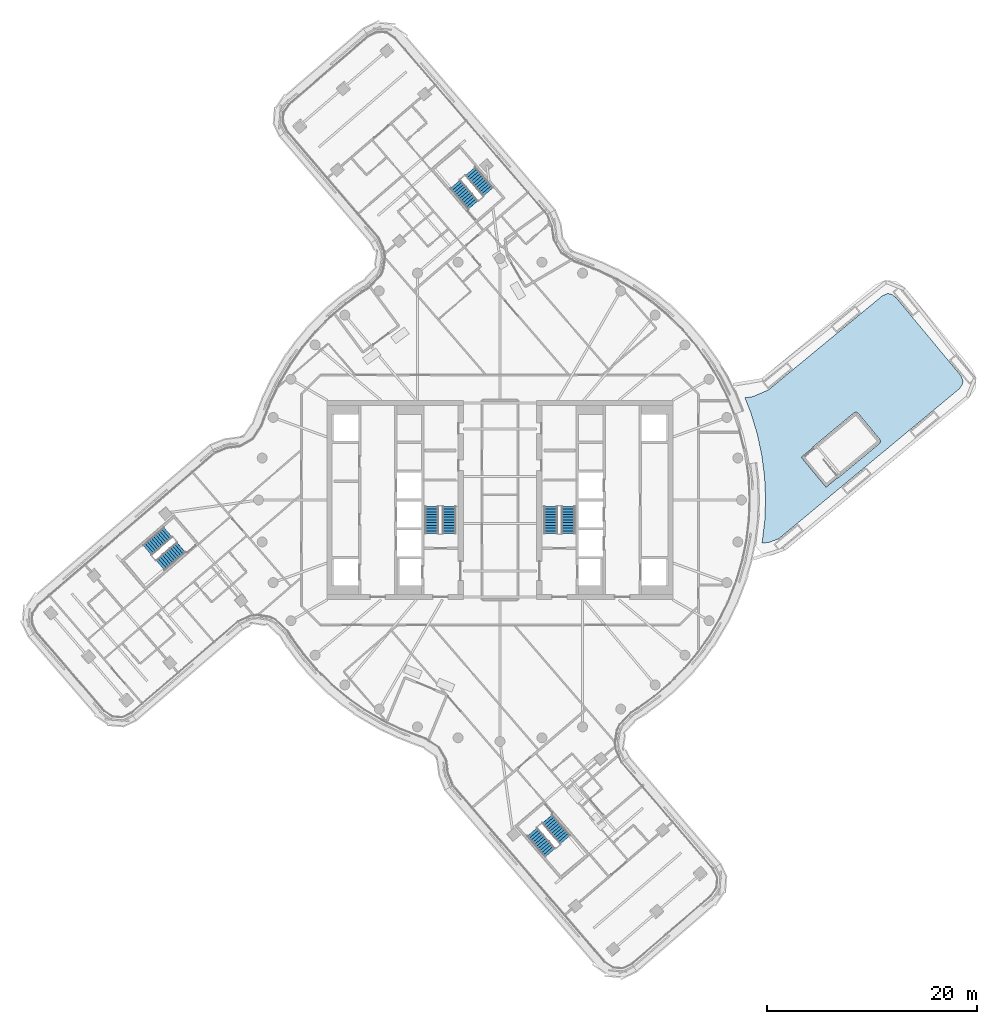
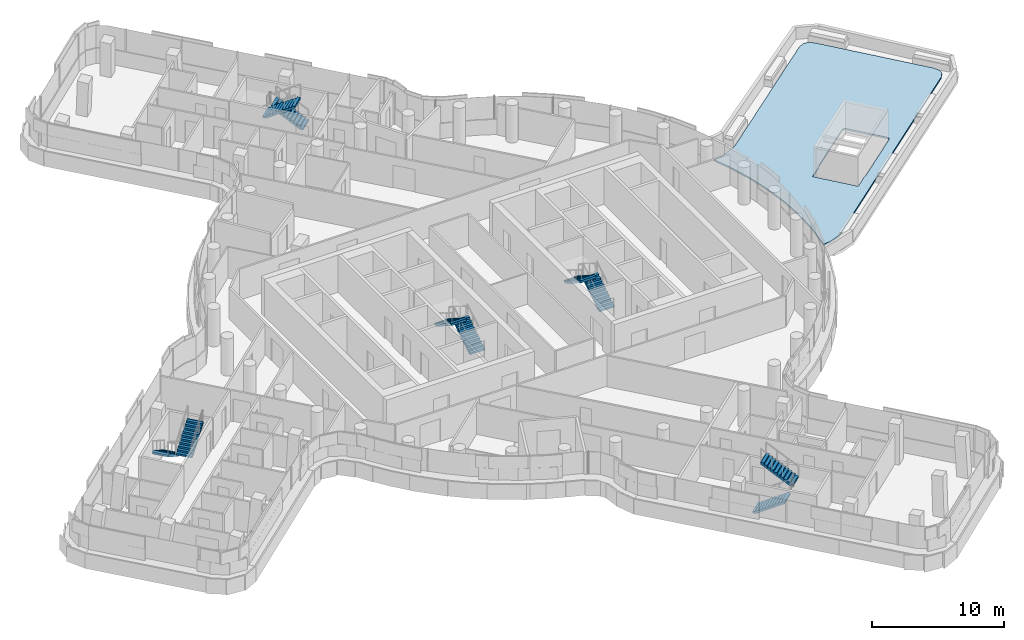
# One storey, part 27 of 34: 10 stair flights, 1 roof, 5 elements without a shape of their own.
"""IFC4 building model written with IfcOpenShell, lengths in metres."""

from ifc_helpers import new_model, si_unit, direction, frame, origin, place, context, subcontext, project, spatial, polyline, outline, extrude, material, layer, layer_set, type_object, element, aggregate, save


model = new_model("IFC4")

# Units and contexts
model_context = context("Model", 3, precision=1e-05, world=origin(), true_north=direction((0.0, 1.0)))
body_context = subcontext(model_context, "Body", "Model", "MODEL_VIEW")
ifc_project = project(units=[si_unit("LENGTHUNIT", "METRE"), si_unit("AREAUNIT", "SQUARE_METRE"), si_unit("VOLUMEUNIT", "CUBIC_METRE"), si_unit("PLANEANGLEUNIT", "RADIAN"), si_unit("MASSUNIT", "GRAM", prefix="KILO")], contexts=[model_context])

# Site, building, storey
site_placement = place(None, origin())
site = spatial("IfcSite", under=ifc_project, at=site_placement, CompositionType="ELEMENT")
building_placement = place(site_placement, origin())
building = spatial("IfcBuilding", under=site, at=building_placement, Name="Tamarind Cross Interchange Tower", CompositionType="ELEMENT")
storey_placement = place(building_placement, frame((0.0, 0.0, 182.5)))
storey = spatial("IfcBuildingStorey", under=building, at=storey_placement, Name="L45", CompositionType="ELEMENT", Elevation=182.5)

# Stair, stair flights
ifc_material_1 = material(Name="Exit stair")
stair_type = type_object("IfcStairType", Name="Exit stair", PredefinedType="HALF_TURN_STAIR", material=ifc_material_1)
stair_1_placement = place(storey_placement, origin())
stair_1 = element("IfcStair", 1, at=stair_1_placement, inside=storey, type_object=stair_type, Name="L45 exit stair ST1", PredefinedType="HALF_TURN_STAIR")
ifc_material_2 = material(Name="Exit stair flight")
stair_flight_type = type_object("IfcStairFlightType", Name="Exit stair flight", PredefinedType="STRAIGHT", material=ifc_material_2)
stair_flight_1_placement = place(storey_placement, frame((-4.85009765625, -3.199951171875, 0.0), z_axis=(0.0, 0.0, 1.0), x_axis=(0.0, 1.0, 0.0)))
stair_flight_1 = element("IfcStairFlight", 2, at=stair_flight_1_placement, type_object=stair_flight_type, Name="ST1 flight 1", NumberOfRisers=11, NumberOfTreads=10, PredefinedType="STRAIGHT", RiserHeight=0.163636364, TreadLength=0.26, context=body_context, shape_type="SweptSolid", body=[
    extrude(outline(polyline([(0.0, 0.0), (0.0, 0.16357421875), (0.260009765625, 0.16357421875), (0.260009765625, 0.327392578125), (0.52001953125, 0.327392578125), (0.52001953125, 0.490966796875), (0.780029296875, 0.490966796875), (0.780029296875, 0.654541015625), (1.0400390625, 0.654541015625), (1.0400390625, 0.818115234375), (1.300048828125, 0.818115234375), (1.300048828125, 0.98193359375), (1.56005859375, 0.98193359375), (1.56005859375, 1.1455078125), (1.820068359375, 1.1455078125), (1.820068359375, 1.30908203125), (2.080078125, 1.30908203125), (2.080078125, 1.47265625), (2.340087890625, 1.47265625), (2.340087890625, 1.636474609375), (2.60009765625, 1.636474609375), (2.60009765625, 1.800048828125), (2.60009765625, 1.459228515625), (0.281494140625, 0.0), (0.0, 0.0)])), frame((0.0, 0.64990234375, 0.0), z_axis=(0.0, -1.0, 0.0), x_axis=(1.0, 0.0, 0.0)), (0.0, 0.0, 1.0), 1.300048828125),
])
stair_flight_2_placement = place(storey_placement, frame((-6.5, -0.60009765625, 1.800048828125), z_axis=(0.0, 0.0, 1.0), x_axis=(0.0, -1.0, 0.0)))
stair_flight_2 = element("IfcStairFlight", 3, at=stair_flight_2_placement, type_object=stair_flight_type, Name="ST1 flight 2", NumberOfRisers=11, NumberOfTreads=10, PredefinedType="STRAIGHT", RiserHeight=0.163636364, TreadLength=0.26, context=body_context, shape_type="SweptSolid", body=[
    extrude(outline(polyline([(0.0, 0.0), (0.0, 0.16357421875), (0.260009765625, 0.16357421875), (0.260009765625, 0.327392578125), (0.52001953125, 0.327392578125), (0.52001953125, 0.490966796875), (0.780029296875, 0.490966796875), (0.780029296875, 0.654541015625), (1.0400390625, 0.654541015625), (1.0400390625, 0.818115234375), (1.300048828125, 0.818115234375), (1.300048828125, 0.98193359375), (1.56005859375, 0.98193359375), (1.56005859375, 1.1455078125), (1.820068359375, 1.1455078125), (1.820068359375, 1.30908203125), (2.080078125, 1.30908203125), (2.080078125, 1.47265625), (2.340087890625, 1.47265625), (2.340087890625, 1.636474609375), (2.60009765625, 1.636474609375), (2.60009765625, 1.679931640625), (2.612060546875, 1.679931640625), (2.612060546875, 1.466796875), (0.281494140625, 0.0), (0.0, 0.0)])), frame((0.0, 0.64990234375, 0.0), z_axis=(0.0, -1.0, 0.0), x_axis=(1.0, 0.0, 0.0)), (0.0, 0.0, 1.0), 1.300048828125),
])
aggregate(stair_1, [stair_flight_1, stair_flight_2])

stair_2_placement = place(storey_placement, origin())
stair_2 = element("IfcStair", 4, at=stair_2_placement, inside=storey, type_object=stair_type, Name="L45 exit stair ST2", PredefinedType="HALF_TURN_STAIR")
stair_flight_3_placement = place(storey_placement, frame((6.5, -3.199951171875, 0.0), z_axis=(0.0, 0.0, 1.0), x_axis=(0.0, 1.0, 0.0)))
stair_flight_3 = element("IfcStairFlight", 5, at=stair_flight_3_placement, type_object=stair_flight_type, Name="ST2 flight 1", NumberOfRisers=11, NumberOfTreads=10, PredefinedType="STRAIGHT", RiserHeight=0.163636364, TreadLength=0.26, context=body_context, shape_type="SweptSolid", body=[
    extrude(outline(polyline([(0.0, 0.0), (0.0, 0.16357421875), (0.260009765625, 0.16357421875), (0.260009765625, 0.327392578125), (0.52001953125, 0.327392578125), (0.52001953125, 0.490966796875), (0.780029296875, 0.490966796875), (0.780029296875, 0.654541015625), (1.0400390625, 0.654541015625), (1.0400390625, 0.818115234375), (1.300048828125, 0.818115234375), (1.300048828125, 0.98193359375), (1.56005859375, 0.98193359375), (1.56005859375, 1.1455078125), (1.820068359375, 1.1455078125), (1.820068359375, 1.30908203125), (2.080078125, 1.30908203125), (2.080078125, 1.47265625), (2.340087890625, 1.47265625), (2.340087890625, 1.636474609375), (2.60009765625, 1.636474609375), (2.60009765625, 1.800048828125), (2.60009765625, 1.459228515625), (0.281494140625, 0.0), (0.0, 0.0)])), frame((0.0, 0.64990234375, 0.0), z_axis=(0.0, -1.0, 0.0), x_axis=(1.0, 0.0, 0.0)), (0.0, 0.0, 1.0), 1.300048828125),
])
stair_flight_4_placement = place(storey_placement, frame((4.85009765625, -0.60009765625, 1.800048828125), z_axis=(0.0, 0.0, 1.0), x_axis=(0.0, -1.0, 0.0)))
stair_flight_4 = element("IfcStairFlight", 6, at=stair_flight_4_placement, type_object=stair_flight_type, Name="ST2 flight 2", NumberOfRisers=11, NumberOfTreads=10, PredefinedType="STRAIGHT", RiserHeight=0.163636364, TreadLength=0.26, context=body_context, shape_type="SweptSolid", body=[
    extrude(outline(polyline([(0.0, 0.0), (0.0, 0.16357421875), (0.260009765625, 0.16357421875), (0.260009765625, 0.327392578125), (0.52001953125, 0.327392578125), (0.52001953125, 0.490966796875), (0.780029296875, 0.490966796875), (0.780029296875, 0.654541015625), (1.0400390625, 0.654541015625), (1.0400390625, 0.818115234375), (1.300048828125, 0.818115234375), (1.300048828125, 0.98193359375), (1.56005859375, 0.98193359375), (1.56005859375, 1.1455078125), (1.820068359375, 1.1455078125), (1.820068359375, 1.30908203125), (2.080078125, 1.30908203125), (2.080078125, 1.47265625), (2.340087890625, 1.47265625), (2.340087890625, 1.636474609375), (2.60009765625, 1.636474609375), (2.60009765625, 1.679931640625), (2.612060546875, 1.679931640625), (2.612060546875, 1.466796875), (0.281494140625, 0.0), (0.0, 0.0)])), frame((0.0, 0.64990234375, 0.0), z_axis=(0.0, -1.0, 0.0), x_axis=(1.0, 0.0, 0.0)), (0.0, 0.0, 1.0), 1.300048828125),
])
aggregate(stair_2, [stair_flight_3, stair_flight_4])

stair_3_placement = place(storey_placement, origin())
stair_3 = element("IfcStair", 7, at=stair_3_placement, inside=storey, type_object=stair_type, Name="L45 exit stair ST4", PredefinedType="HALF_TURN_STAIR")
stair_flight_5_placement = place(storey_placement, frame((-1.11962890625, 29.35107421875, 0.0), z_axis=(0.0, 0.0, 1.0), x_axis=(-0.652722730074, 0.757596883339, 0.0)))
stair_flight_5 = element("IfcStairFlight", 8, at=stair_flight_5_placement, type_object=stair_flight_type, Name="ST4 flight 1", NumberOfRisers=11, NumberOfTreads=10, PredefinedType="STRAIGHT", RiserHeight=0.163636364, TreadLength=0.26, context=body_context, shape_type="SweptSolid", body=[
    extrude(outline(polyline([(0.0, 0.0), (0.0, 0.16357421875), (0.260009765625, 0.16357421875), (0.260009765625, 0.327392578125), (0.52001953125, 0.327392578125), (0.52001953125, 0.490966796875), (0.780029296875, 0.490966796875), (0.780029296875, 0.654541015625), (1.0400390625, 0.654541015625), (1.0400390625, 0.818115234375), (1.300048828125, 0.818115234375), (1.300048828125, 0.98193359375), (1.56005859375, 0.98193359375), (1.56005859375, 1.1455078125), (1.820068359375, 1.1455078125), (1.820068359375, 1.30908203125), (2.080078125, 1.30908203125), (2.080078125, 1.47265625), (2.340087890625, 1.47265625), (2.340087890625, 1.636474609375), (2.60009765625, 1.636474609375), (2.60009765625, 1.800048828125), (2.60009765625, 1.459228515625), (0.281494140625, 0.0), (0.0, 0.0)])), frame((0.0, 0.64990234375, 0.0), z_axis=(0.0, -1.0, 0.0), x_axis=(1.0, 0.0, 0.0)), (0.0, 0.0, 1.0), 1.300048828125),
])
stair_flight_6_placement = place(storey_placement, frame((-4.256103515625, 30.080810546875, 1.800048828125), z_axis=(0.0, 0.0, 1.0), x_axis=(0.652722730074, -0.757596883339, 0.0)))
stair_flight_6 = element("IfcStairFlight", 9, at=stair_flight_6_placement, type_object=stair_flight_type, Name="ST4 flight 2", NumberOfRisers=11, NumberOfTreads=10, PredefinedType="STRAIGHT", RiserHeight=0.163636364, TreadLength=0.26, context=body_context, shape_type="SweptSolid", body=[
    extrude(outline(polyline([(0.0, 0.0), (0.0, 0.16357421875), (0.260009765625, 0.16357421875), (0.260009765625, 0.327392578125), (0.52001953125, 0.327392578125), (0.52001953125, 0.490966796875), (0.780029296875, 0.490966796875), (0.780029296875, 0.654541015625), (1.0400390625, 0.654541015625), (1.0400390625, 0.818115234375), (1.300048828125, 0.818115234375), (1.300048828125, 0.98193359375), (1.56005859375, 0.98193359375), (1.56005859375, 1.1455078125), (1.820068359375, 1.1455078125), (1.820068359375, 1.30908203125), (2.080078125, 1.30908203125), (2.080078125, 1.47265625), (2.340087890625, 1.47265625), (2.340087890625, 1.636474609375), (2.60009765625, 1.636474609375), (2.60009765625, 1.679931640625), (2.612060546875, 1.679931640625), (2.612060546875, 1.466796875), (0.281494140625, 0.0), (0.0, 0.0)])), frame((0.0, 0.64990234375, 0.0), z_axis=(0.0, -1.0, 0.0), x_axis=(1.0, 0.0, 0.0)), (0.0, 0.0, 1.0), 1.300048828125),
])
aggregate(stair_3, [stair_flight_5, stair_flight_6])

stair_4_placement = place(storey_placement, origin())
stair_4 = element("IfcStair", 10, at=stair_4_placement, inside=storey, type_object=stair_type, Name="L45 exit stair ST5", PredefinedType="HALF_TURN_STAIR")
stair_flight_7_placement = place(storey_placement, frame((-31.6240234375, -3.077880859375, 0.0), z_axis=(0.0, 0.0, 1.0), x_axis=(-0.757596883339, -0.652722730074, 0.0)))
stair_flight_7 = element("IfcStairFlight", 11, at=stair_flight_7_placement, type_object=stair_flight_type, Name="ST5 flight 1", NumberOfRisers=11, NumberOfTreads=10, PredefinedType="STRAIGHT", RiserHeight=0.163636364, TreadLength=0.26, context=body_context, shape_type="SweptSolid", body=[
    extrude(outline(polyline([(0.0, 0.0), (0.0, 0.16357421875), (0.260009765625, 0.16357421875), (0.260009765625, 0.327392578125), (0.52001953125, 0.327392578125), (0.52001953125, 0.490966796875), (0.780029296875, 0.490966796875), (0.780029296875, 0.654541015625), (1.0400390625, 0.654541015625), (1.0400390625, 0.818115234375), (1.300048828125, 0.818115234375), (1.300048828125, 0.98193359375), (1.56005859375, 0.98193359375), (1.56005859375, 1.1455078125), (1.820068359375, 1.1455078125), (1.820068359375, 1.30908203125), (2.080078125, 1.30908203125), (2.080078125, 1.47265625), (2.340087890625, 1.47265625), (2.340087890625, 1.636474609375), (2.60009765625, 1.636474609375), (2.60009765625, 1.800048828125), (2.60009765625, 1.459228515625), (0.281494140625, 0.0), (0.0, 0.0)])), frame((0.0, 0.64990234375, 0.0), z_axis=(0.0, -1.0, 0.0), x_axis=(1.0, 0.0, 0.0)), (0.0, 0.0, 1.0), 1.300048828125),
])
stair_flight_8_placement = place(storey_placement, frame((-32.353515625, -6.21435546875, 1.800048828125), z_axis=(0.0, 0.0, 1.0), x_axis=(0.757596883339, 0.652722730074, 0.0)))
stair_flight_8 = element("IfcStairFlight", 12, at=stair_flight_8_placement, type_object=stair_flight_type, Name="ST5 flight 2", NumberOfRisers=11, NumberOfTreads=10, PredefinedType="STRAIGHT", RiserHeight=0.163636364, TreadLength=0.26, context=body_context, shape_type="SweptSolid", body=[
    extrude(outline(polyline([(0.0, 0.0), (0.0, 0.16357421875), (0.260009765625, 0.16357421875), (0.260009765625, 0.327392578125), (0.52001953125, 0.327392578125), (0.52001953125, 0.490966796875), (0.780029296875, 0.490966796875), (0.780029296875, 0.654541015625), (1.0400390625, 0.654541015625), (1.0400390625, 0.818115234375), (1.300048828125, 0.818115234375), (1.300048828125, 0.98193359375), (1.56005859375, 0.98193359375), (1.56005859375, 1.1455078125), (1.820068359375, 1.1455078125), (1.820068359375, 1.30908203125), (2.080078125, 1.30908203125), (2.080078125, 1.47265625), (2.340087890625, 1.47265625), (2.340087890625, 1.636474609375), (2.60009765625, 1.636474609375), (2.60009765625, 1.679931640625), (2.612060546875, 1.679931640625), (2.612060546875, 1.466796875), (0.281494140625, 0.0), (0.0, 0.0)])), frame((0.0, 0.64990234375, 0.0), z_axis=(0.0, -1.0, 0.0), x_axis=(1.0, 0.0, 0.0)), (0.0, 0.0, 1.0), 1.300048828125),
])
aggregate(stair_4, [stair_flight_7, stair_flight_8])

stair_5_placement = place(storey_placement, origin())
stair_5 = element("IfcStair", 13, at=stair_5_placement, inside=storey, type_object=stair_type, Name="L45 exit stair ST6", PredefinedType="HALF_TURN_STAIR")
stair_flight_9_placement = place(storey_placement, frame((3.077880859375, -31.6240234375, 0.0), z_axis=(0.0, 0.0, 1.0), x_axis=(0.652722730074, -0.757596883339, 0.0)))
stair_flight_9 = element("IfcStairFlight", 14, at=stair_flight_9_placement, type_object=stair_flight_type, Name="ST6 flight 1", NumberOfRisers=11, NumberOfTreads=10, PredefinedType="STRAIGHT", RiserHeight=0.163636364, TreadLength=0.26, context=body_context, shape_type="SweptSolid", body=[
    extrude(outline(polyline([(0.0, 0.0), (0.0, 0.16357421875), (0.260009765625, 0.16357421875), (0.260009765625, 0.327392578125), (0.52001953125, 0.327392578125), (0.52001953125, 0.490966796875), (0.780029296875, 0.490966796875), (0.780029296875, 0.654541015625), (1.0400390625, 0.654541015625), (1.0400390625, 0.818115234375), (1.300048828125, 0.818115234375), (1.300048828125, 0.98193359375), (1.56005859375, 0.98193359375), (1.56005859375, 1.1455078125), (1.820068359375, 1.1455078125), (1.820068359375, 1.30908203125), (2.080078125, 1.30908203125), (2.080078125, 1.47265625), (2.340087890625, 1.47265625), (2.340087890625, 1.636474609375), (2.60009765625, 1.636474609375), (2.60009765625, 1.800048828125), (2.60009765625, 1.459228515625), (0.281494140625, 0.0), (0.0, 0.0)])), frame((0.0, 0.64990234375, 0.0), z_axis=(0.0, -1.0, 0.0), x_axis=(1.0, 0.0, 0.0)), (0.0, 0.0, 1.0), 1.300048828125),
])
stair_flight_10_placement = place(storey_placement, frame((6.21435546875, -32.353515625, 1.800048828125), z_axis=(0.0, 0.0, 1.0), x_axis=(-0.652722730074, 0.757596883339, 0.0)))
stair_flight_10 = element("IfcStairFlight", 15, at=stair_flight_10_placement, type_object=stair_flight_type, Name="ST6 flight 2", NumberOfRisers=11, NumberOfTreads=10, PredefinedType="STRAIGHT", RiserHeight=0.163636364, TreadLength=0.26, context=body_context, shape_type="SweptSolid", body=[
    extrude(outline(polyline([(0.0, 0.0), (0.0, 0.16357421875), (0.260009765625, 0.16357421875), (0.260009765625, 0.327392578125), (0.52001953125, 0.327392578125), (0.52001953125, 0.490966796875), (0.780029296875, 0.490966796875), (0.780029296875, 0.654541015625), (1.0400390625, 0.654541015625), (1.0400390625, 0.818115234375), (1.300048828125, 0.818115234375), (1.300048828125, 0.98193359375), (1.56005859375, 0.98193359375), (1.56005859375, 1.1455078125), (1.820068359375, 1.1455078125), (1.820068359375, 1.30908203125), (2.080078125, 1.30908203125), (2.080078125, 1.47265625), (2.340087890625, 1.47265625), (2.340087890625, 1.636474609375), (2.60009765625, 1.636474609375), (2.60009765625, 1.679931640625), (2.612060546875, 1.679931640625), (2.612060546875, 1.466796875), (0.281494140625, 0.0), (0.0, 0.0)])), frame((0.0, 0.64990234375, 0.0), z_axis=(0.0, -1.0, 0.0), x_axis=(1.0, 0.0, 0.0)), (0.0, 0.0, 1.0), 1.300048828125),
])
aggregate(stair_5, [stair_flight_9, stair_flight_10])

# Roof
ifc_material_3 = material(Name="Soil and planting substrate")
ifc_layer = layer(ifc_material_3, 0.14990234375)
ifc_layer_set = layer_set([ifc_layer], Name="Soil and planting substrate")
roof_type = type_object("IfcRoofType", Name="Green roof", PredefinedType="USERDEFINED", material=ifc_layer_set)
roof_placement = place(storey_placement, origin())
element("IfcRoof", 16, at=roof_placement, inside=storey, type_object=roof_type, Name="GRF-L45-E", ObjectType="Green roof", PredefinedType="USERDEFINED", context=body_context, shape_type="SweptSolid", body=[
    extrude(outline(polyline([(23.861572265625, 9.812255859375), (23.33837890625, 9.75048828125), (23.32470703125, 9.7490234375), (23.868408203125, 8.373291015625), (23.87890625, 8.345703125), (23.882568359375, 8.336181640625), (23.898193359375, 8.290771484375), (23.900390625, 8.2841796875), (23.908203125, 8.259521484375), (24.478515625, 6.373779296875), (24.486572265625, 6.345458984375), (24.489501953125, 6.33544921875), (24.501220703125, 6.2890625), (24.5029296875, 6.281982421875), (24.508544921875, 6.2568359375), (24.921142578125, 4.33056640625), (24.927001953125, 4.3017578125), (24.928955078125, 4.29150390625), (24.93701171875, 4.244140625), (24.93798828125, 4.2373046875), (24.941650390625, 4.211669921875), (25.193603515625, 2.2578125), (25.197021484375, 2.228515625), (25.1982421875, 2.21826171875), (25.202392578125, 2.17041015625), (25.20263671875, 2.163330078125), (25.2041015625, 2.1376953125), (25.294189453125, 0.169677734375), (25.295166015625, 0.14013671875), (25.29541015625, 0.1298828125), (25.29541015625, 0.081787109375), (25.29541015625, 0.07470703125), (25.294677734375, 0.048828125), (25.2216796875, -1.919677734375), (25.22021484375, -1.94921875), (25.219482421875, -1.95947265625), (25.2158203125, -2.00732421875), (25.215087890625, -2.014404296875), (25.21240234375, -2.0400390625), (24.97705078125, -3.995849609375), (24.97314453125, -4.025146484375), (24.9716796875, -4.035400390625), (24.9638671875, -4.082763671875), (24.962646484375, -4.089599609375), (24.957763671875, -4.114990234375), (24.95703125, -4.118408203125), (25.6533203125, -4.029296875), (26.55322265625, -3.693115234375), (43.75830078125, 10.591796875), (44.06787109375, 11.029296875), (44.1015625, 11.39306640625), (43.877685546875, 11.8798828125), (37.699951171875, 19.3203125), (37.2626953125, 19.6298828125), (36.898681640625, 19.66357421875), (36.410400390625, 19.43896484375), (25.701904296875, 10.600341796875), (25.6552734375, 10.563720703125), (25.64404296875, 10.555419921875), (25.5458984375, 10.48876953125), (25.441650390625, 10.431884765625), (25.428955078125, 10.42578125), (25.375, 10.40087890625), (24.235107421875, 9.912109375), (24.1796875, 9.889892578125), (24.166259765625, 9.884765625), (24.052001953125, 9.848388671875), (23.934814453125, 9.822998046875), (23.9208984375, 9.820556640625), (23.861572265625, 9.812255859375)]), holes=[polyline([(36.15380859375, 5.384765625), (36.132080078125, 5.364990234375), (32.29443359375, 2.1787109375), (32.27099609375, 2.160888671875), (32.245849609375, 2.1455078125), (32.21923828125, 2.1328125), (32.191650390625, 2.122802734375), (32.1630859375, 2.115478515625), (32.135009765625, 2.111083984375), (31.09912109375, 1.251220703125), (31.09521484375, 1.248291015625), (31.091064453125, 1.24560546875), (31.086669921875, 1.24365234375), (31.08203125, 1.241943359375), (31.077392578125, 1.24072265625), (31.072509765625, 1.239990234375), (31.067626953125, 1.23974609375), (31.062744140625, 1.239990234375), (31.057861328125, 1.240478515625), (31.052978515625, 1.24169921875), (31.04833984375, 1.243408203125), (31.0439453125, 1.24560546875), (31.039794921875, 1.248046875), (31.035888671875, 1.2509765625), (31.031982421875, 1.254150390625), (31.02880859375, 1.2578125), (28.85693359375, 3.87353515625), (28.856689453125, 3.8740234375), (28.729248046875, 4.027587890625), (28.726318359375, 4.031494140625), (28.7236328125, 4.03564453125), (28.721435546875, 4.0400390625), (28.719970703125, 4.044677734375), (28.718505859375, 4.04931640625), (28.718017578125, 4.05419921875), (28.717529296875, 4.05908203125), (28.7177734375, 4.064208984375), (28.718505859375, 4.06884765625), (28.7197265625, 4.07373046875), (28.72119140625, 4.078369140625), (28.723388671875, 4.082763671875), (28.725830078125, 4.0869140625), (28.728759765625, 4.0908203125), (28.732177734375, 4.094482421875), (28.735595703125, 4.097900390625), (29.771484375, 4.9580078125), (29.781005859375, 4.984619140625), (29.793212890625, 5.01123046875), (29.808349609375, 5.03662109375), (29.82568359375, 5.060302734375), (29.845458984375, 5.082275390625), (29.8671875, 5.102294921875), (33.70458984375, 8.28857421875), (33.728271484375, 8.30615234375), (33.75341796875, 8.321533203125), (33.780029296875, 8.334228515625), (33.8076171875, 8.34423828125), (33.836181640625, 8.3515625), (33.864013671875, 8.35595703125), (33.890380859375, 8.377685546875), (33.894287109375, 8.380859375), (33.898681640625, 8.38330078125), (33.903076171875, 8.385498046875), (33.90771484375, 8.38720703125), (33.912353515625, 8.38818359375), (33.917236328125, 8.38916015625), (33.922119140625, 8.389404296875), (33.927001953125, 8.38916015625), (33.931884765625, 8.388427734375), (33.936767578125, 8.38720703125), (33.94140625, 8.385498046875), (33.94580078125, 8.383544921875), (33.949951171875, 8.381103515625), (33.953857421875, 8.378173828125), (33.95751953125, 8.375), (33.9609375, 8.371337890625), (33.982666015625, 8.344970703125), (34.009521484375, 8.33544921875), (34.036376953125, 8.322998046875), (34.0615234375, 8.30810546875), (34.085205078125, 8.290771484375), (34.107421875, 8.27099609375), (34.127197265625, 8.24951171875), (36.17138671875, 5.787353515625), (36.18896484375, 5.763916015625), (36.204345703125, 5.73876953125), (36.217041015625, 5.712158203125), (36.22705078125, 5.6845703125), (36.234375, 5.656005859375), (36.23876953125, 5.627685546875), (36.260498046875, 5.6015625), (36.263427734375, 5.59765625), (36.26611328125, 5.593505859375), (36.268310546875, 5.589111328125), (36.27001953125, 5.58447265625), (36.27099609375, 5.57958984375), (36.271728515625, 5.57470703125), (36.272216796875, 5.56982421875), (36.27197265625, 5.56494140625), (36.271240234375, 5.56005859375), (36.27001953125, 5.555419921875), (36.268310546875, 5.55078125), (36.266357421875, 5.54638671875), (36.263916015625, 5.5419921875), (36.260986328125, 5.5380859375), (36.2578125, 5.534423828125), (36.25390625, 5.531005859375), (36.227783203125, 5.50927734375), (36.21826171875, 5.482421875), (36.205810546875, 5.455810546875), (36.19091796875, 5.430419921875), (36.173583984375, 5.40673828125), (36.15380859375, 5.384765625)])]), origin(), (0.0, 0.0, 1.0), 0.14990234375),
])

save(model, "model.ifc")
